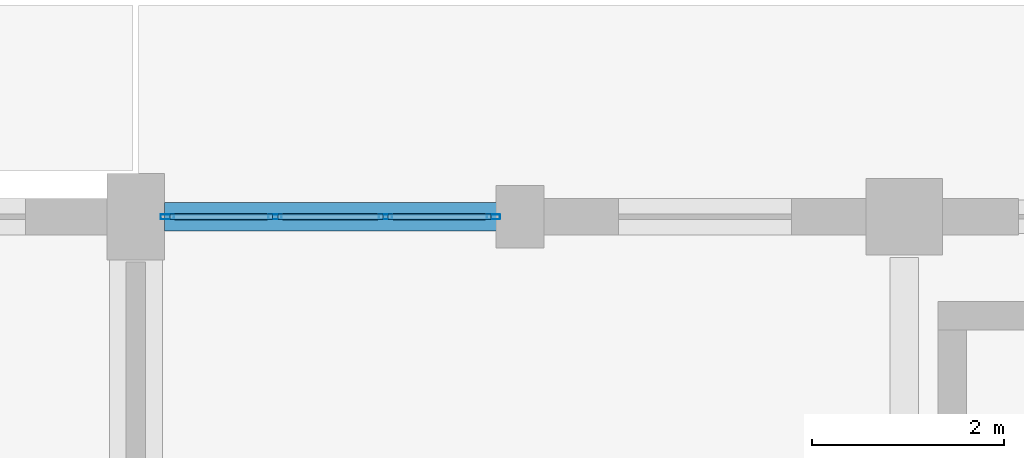
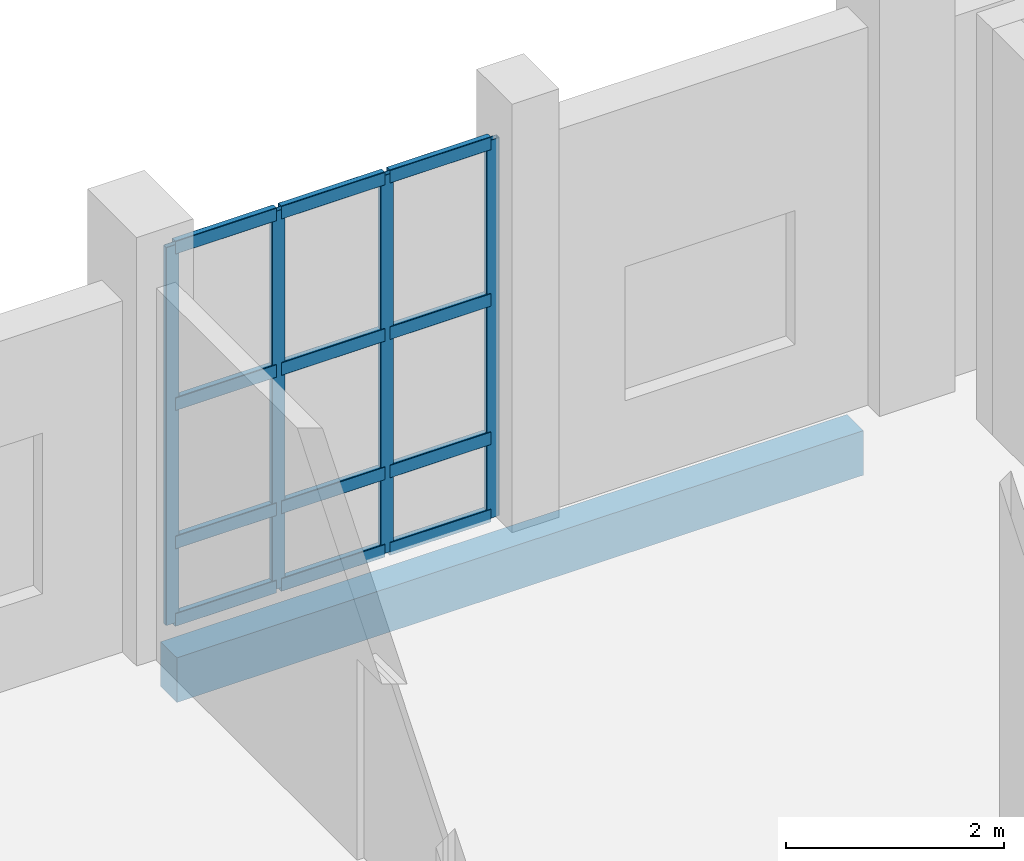
# One storey, part 98 of 156: 16 members, 1 beam, 1 element without a shape of its own.
"""IFC4 building model written with IfcOpenShell, lengths in metres."""

from ifc_helpers import new_model, si_unit, direction, frame, origin, origin_2d, place, context, subcontext, project, spatial, rectangle, hollow_rectangle, extrude, material, material_profile, profile_set, type_object, element, aggregate, save


model = new_model("IFC4")

# Units and contexts
model_context = context("Model", 3, precision=1e-05, world=origin(), true_north=direction((0.0, 1.0)))
body_context = subcontext(model_context, "Body", "Model", "MODEL_VIEW")
ifc_project = project(units=[si_unit("LENGTHUNIT", "METRE"), si_unit("AREAUNIT", "SQUARE_METRE"), si_unit("VOLUMEUNIT", "CUBIC_METRE"), si_unit("PLANEANGLEUNIT", "RADIAN"), si_unit("MASSUNIT", "GRAM", prefix="KILO")], contexts=[model_context])

# Site, building, storey
site_placement = place(None, origin())
site = spatial("IfcSite", under=ifc_project, at=site_placement, CompositionType="ELEMENT")
building_placement = place(site_placement, origin())
building = spatial("IfcBuilding", under=site, at=building_placement, Name="Luwemba Playhouse", CompositionType="ELEMENT")
storey_placement = place(building_placement, origin())
storey = spatial("IfcBuildingStorey", under=building, at=storey_placement, Name="L00", CompositionType="ELEMENT", Elevation=0.0)

# Beam
ifc_material_1 = material(Name="Concrete C40/50", Category="concrete")
ifc_material_profile_1 = material_profile(ifc_material_1, rectangle(XDim=0.300048828125, YDim=0.5, at=origin_2d()))
ifc_profile_set_1 = profile_set([ifc_material_profile_1], Name="Concrete C40/50")
beam_type = type_object("IfcBeamType", Name="BM-SP1", PredefinedType="SPANDREL", material=ifc_profile_set_1)
beam_placement = place(storey_placement, frame((132.300048828125, 115.0, -0.550048828125), z_axis=(1.0, 0.0, 0.0), x_axis=(0.0, 1.0, 0.0)))
element("IfcBeam", 1, at=beam_placement, inside=storey, type_object=beam_type, Name="L00 grid girder 0316", PredefinedType="SPANDREL", context=body_context, shape_type="SweptSolid", body=[
    extrude(rectangle(XDim=0.300048828125, YDim=0.5, at=origin_2d()), origin(), (0.0, 0.0, 1.0), 7.27490234375),
])

# Curtain wall, members
ifc_material_2 = material(Name="Solar-control double glazing", Category="glass")
curtain_wall_type = type_object("IfcCurtainWallType", Name="CW-CW09", PredefinedType="USERDEFINED", material=ifc_material_2)
curtain_wall_placement = place(storey_placement, origin())
curtain_wall = element("IfcCurtainWall", 2, at=curtain_wall_placement, inside=storey, type_object=curtain_wall_type, Name="L00 V6E unitised curtain wall 085", ObjectType="UNITISED GLAZING", PredefinedType="USERDEFINED")
ifc_material_3 = material(Name="Aluminium 6063-T6", Category="aluminium")
ifc_material_profile_2 = material_profile(ifc_material_3, hollow_rectangle(XDim=0.054931640625, YDim=0.139892578125, WallThickness=0.00390625, InnerFilletRadius=0.006103515625, OuterFilletRadius=0.010009765625, at=origin_2d()))
ifc_profile_set_2 = profile_set([ifc_material_profile_2], Name="Aluminium 6063-T6")
member_type_1 = type_object("IfcMemberType", Name="CWM-M3", PredefinedType="MULLION", material=ifc_profile_set_2)
member_1_placement = place(storey_placement, frame((132.327392578125, 115.0, 0.0), z_axis=(0.0, 0.0, 1.0), x_axis=(0.0, 1.0, 0.0)))
member_1 = element("IfcMember", 3, at=member_1_placement, type_object=member_type_1, Name="CW09 mullion 1", PredefinedType="MULLION", context=body_context, shape_type="SweptSolid", body=[
    extrude(hollow_rectangle(XDim=0.054931640625, YDim=0.139892578125, WallThickness=0.00390625, InnerFilletRadius=0.006103515625, OuterFilletRadius=0.010009765625, at=origin_2d()), origin(), (0.0, 0.0, 1.0), 4.235107421875),
])
member_2_placement = place(storey_placement, frame((133.449951171875, 115.0, 0.0), z_axis=(0.0, 0.0, 1.0), x_axis=(0.0, 1.0, 0.0)))
member_2 = element("IfcMember", 4, at=member_2_placement, type_object=member_type_1, Name="CW09 mullion 2", PredefinedType="MULLION", context=body_context, shape_type="SweptSolid", body=[
    extrude(hollow_rectangle(XDim=0.054931640625, YDim=0.139892578125, WallThickness=0.00390625, InnerFilletRadius=0.006103515625, OuterFilletRadius=0.010009765625, at=origin_2d()), origin(), (0.0, 0.0, 1.0), 4.235107421875),
])
member_3_placement = place(storey_placement, frame((134.60009765625, 115.0, 0.0), z_axis=(0.0, 0.0, 1.0), x_axis=(0.0, 1.0, 0.0)))
member_3 = element("IfcMember", 5, at=member_3_placement, type_object=member_type_1, Name="CW09 mullion 3", PredefinedType="MULLION", context=body_context, shape_type="SweptSolid", body=[
    extrude(hollow_rectangle(XDim=0.054931640625, YDim=0.139892578125, WallThickness=0.00390625, InnerFilletRadius=0.006103515625, OuterFilletRadius=0.010009765625, at=origin_2d()), origin(), (0.0, 0.0, 1.0), 4.235107421875),
])
member_4_placement = place(storey_placement, frame((135.722412109375, 115.0, 0.0), z_axis=(0.0, 0.0, 1.0), x_axis=(0.0, 1.0, 0.0)))
member_4 = element("IfcMember", 6, at=member_4_placement, type_object=member_type_1, Name="CW09 mullion 4", PredefinedType="MULLION", context=body_context, shape_type="SweptSolid", body=[
    extrude(hollow_rectangle(XDim=0.054931640625, YDim=0.139892578125, WallThickness=0.00390625, InnerFilletRadius=0.006103515625, OuterFilletRadius=0.010009765625, at=origin_2d()), origin(), (0.0, 0.0, 1.0), 4.235107421875),
])
ifc_material_profile_3 = material_profile(ifc_material_3, hollow_rectangle(XDim=0.06494140625, YDim=0.14990234375, WallThickness=0.00390625, InnerFilletRadius=0.006103515625, OuterFilletRadius=0.010009765625, at=origin_2d()))
ifc_profile_set_3 = profile_set([ifc_material_profile_3], Name="Aluminium 6063-T6")
member_type_2 = type_object("IfcMemberType", Name="CWT-T3", PredefinedType="USERDEFINED", material=ifc_profile_set_3)
member_5_placement = place(storey_placement, frame((132.35498046875, 115.0, 0.032470703125), z_axis=(1.0, 0.0, 0.0), x_axis=(0.0, 1.0, 0.0)))
member_5 = element("IfcMember", 7, at=member_5_placement, type_object=member_type_2, Name="CW09 transom 1.1", ObjectType="TRANSOM", PredefinedType="USERDEFINED", context=body_context, shape_type="SweptSolid", body=[
    extrude(hollow_rectangle(XDim=0.06494140625, YDim=0.14990234375, WallThickness=0.00390625, InnerFilletRadius=0.006103515625, OuterFilletRadius=0.010009765625, at=origin_2d()), origin(), (0.0, 0.0, 1.0), 1.067626953125),
])
member_6_placement = place(storey_placement, frame((132.35498046875, 115.0, 0.89990234375), z_axis=(1.0, 0.0, 0.0), x_axis=(0.0, 1.0, 0.0)))
member_6 = element("IfcMember", 8, at=member_6_placement, type_object=member_type_2, Name="CW09 transom 1.2", ObjectType="TRANSOM", PredefinedType="USERDEFINED", context=body_context, shape_type="SweptSolid", body=[
    extrude(hollow_rectangle(XDim=0.06494140625, YDim=0.14990234375, WallThickness=0.00390625, InnerFilletRadius=0.006103515625, OuterFilletRadius=0.010009765625, at=origin_2d()), origin(), (0.0, 0.0, 1.0), 1.067626953125),
])
member_7_placement = place(storey_placement, frame((132.35498046875, 115.0, 2.449951171875), z_axis=(1.0, 0.0, 0.0), x_axis=(0.0, 1.0, 0.0)))
member_7 = element("IfcMember", 9, at=member_7_placement, type_object=member_type_2, Name="CW09 transom 1.3", ObjectType="TRANSOM", PredefinedType="USERDEFINED", context=body_context, shape_type="SweptSolid", body=[
    extrude(hollow_rectangle(XDim=0.06494140625, YDim=0.14990234375, WallThickness=0.00390625, InnerFilletRadius=0.006103515625, OuterFilletRadius=0.010009765625, at=origin_2d()), origin(), (0.0, 0.0, 1.0), 1.067626953125),
])
member_8_placement = place(storey_placement, frame((132.35498046875, 115.0, 4.202392578125), z_axis=(1.0, 0.0, 0.0), x_axis=(0.0, 1.0, 0.0)))
member_8 = element("IfcMember", 10, at=member_8_placement, type_object=member_type_2, Name="CW09 transom 1.4", ObjectType="TRANSOM", PredefinedType="USERDEFINED", context=body_context, shape_type="SweptSolid", body=[
    extrude(hollow_rectangle(XDim=0.06494140625, YDim=0.14990234375, WallThickness=0.00390625, InnerFilletRadius=0.006103515625, OuterFilletRadius=0.010009765625, at=origin_2d()), origin(), (0.0, 0.0, 1.0), 1.067626953125),
])
member_9_placement = place(storey_placement, frame((133.4775390625, 115.0, 0.032470703125), z_axis=(1.0, 0.0, 0.0), x_axis=(0.0, 1.0, 0.0)))
member_9 = element("IfcMember", 11, at=member_9_placement, type_object=member_type_2, Name="CW09 transom 2.1", ObjectType="TRANSOM", PredefinedType="USERDEFINED", context=body_context, shape_type="SweptSolid", body=[
    extrude(hollow_rectangle(XDim=0.06494140625, YDim=0.14990234375, WallThickness=0.00390625, InnerFilletRadius=0.006103515625, OuterFilletRadius=0.010009765625, at=origin_2d()), origin(), (0.0, 0.0, 1.0), 1.094970703125),
])
member_10_placement = place(storey_placement, frame((133.4775390625, 115.0, 0.89990234375), z_axis=(1.0, 0.0, 0.0), x_axis=(0.0, 1.0, 0.0)))
member_10 = element("IfcMember", 12, at=member_10_placement, type_object=member_type_2, Name="CW09 transom 2.2", ObjectType="TRANSOM", PredefinedType="USERDEFINED", context=body_context, shape_type="SweptSolid", body=[
    extrude(hollow_rectangle(XDim=0.06494140625, YDim=0.14990234375, WallThickness=0.00390625, InnerFilletRadius=0.006103515625, OuterFilletRadius=0.010009765625, at=origin_2d()), origin(), (0.0, 0.0, 1.0), 1.094970703125),
])
member_11_placement = place(storey_placement, frame((133.4775390625, 115.0, 2.449951171875), z_axis=(1.0, 0.0, 0.0), x_axis=(0.0, 1.0, 0.0)))
member_11 = element("IfcMember", 13, at=member_11_placement, type_object=member_type_2, Name="CW09 transom 2.3", ObjectType="TRANSOM", PredefinedType="USERDEFINED", context=body_context, shape_type="SweptSolid", body=[
    extrude(hollow_rectangle(XDim=0.06494140625, YDim=0.14990234375, WallThickness=0.00390625, InnerFilletRadius=0.006103515625, OuterFilletRadius=0.010009765625, at=origin_2d()), origin(), (0.0, 0.0, 1.0), 1.094970703125),
])
member_12_placement = place(storey_placement, frame((133.4775390625, 115.0, 4.202392578125), z_axis=(1.0, 0.0, 0.0), x_axis=(0.0, 1.0, 0.0)))
member_12 = element("IfcMember", 14, at=member_12_placement, type_object=member_type_2, Name="CW09 transom 2.4", ObjectType="TRANSOM", PredefinedType="USERDEFINED", context=body_context, shape_type="SweptSolid", body=[
    extrude(hollow_rectangle(XDim=0.06494140625, YDim=0.14990234375, WallThickness=0.00390625, InnerFilletRadius=0.006103515625, OuterFilletRadius=0.010009765625, at=origin_2d()), origin(), (0.0, 0.0, 1.0), 1.094970703125),
])
member_13_placement = place(storey_placement, frame((134.62744140625, 115.0, 0.032470703125), z_axis=(1.0, 0.0, 0.0), x_axis=(0.0, 1.0, 0.0)))
member_13 = element("IfcMember", 15, at=member_13_placement, type_object=member_type_2, Name="CW09 transom 3.1", ObjectType="TRANSOM", PredefinedType="USERDEFINED", context=body_context, shape_type="SweptSolid", body=[
    extrude(hollow_rectangle(XDim=0.06494140625, YDim=0.14990234375, WallThickness=0.00390625, InnerFilletRadius=0.006103515625, OuterFilletRadius=0.010009765625, at=origin_2d()), origin(), (0.0, 0.0, 1.0), 1.067626953125),
])
member_14_placement = place(storey_placement, frame((134.62744140625, 115.0, 0.89990234375), z_axis=(1.0, 0.0, 0.0), x_axis=(0.0, 1.0, 0.0)))
member_14 = element("IfcMember", 16, at=member_14_placement, type_object=member_type_2, Name="CW09 transom 3.2", ObjectType="TRANSOM", PredefinedType="USERDEFINED", context=body_context, shape_type="SweptSolid", body=[
    extrude(hollow_rectangle(XDim=0.06494140625, YDim=0.14990234375, WallThickness=0.00390625, InnerFilletRadius=0.006103515625, OuterFilletRadius=0.010009765625, at=origin_2d()), origin(), (0.0, 0.0, 1.0), 1.067626953125),
])
member_15_placement = place(storey_placement, frame((134.62744140625, 115.0, 2.449951171875), z_axis=(1.0, 0.0, 0.0), x_axis=(0.0, 1.0, 0.0)))
member_15 = element("IfcMember", 17, at=member_15_placement, type_object=member_type_2, Name="CW09 transom 3.3", ObjectType="TRANSOM", PredefinedType="USERDEFINED", context=body_context, shape_type="SweptSolid", body=[
    extrude(hollow_rectangle(XDim=0.06494140625, YDim=0.14990234375, WallThickness=0.00390625, InnerFilletRadius=0.006103515625, OuterFilletRadius=0.010009765625, at=origin_2d()), origin(), (0.0, 0.0, 1.0), 1.067626953125),
])
member_16_placement = place(storey_placement, frame((134.62744140625, 115.0, 4.202392578125), z_axis=(1.0, 0.0, 0.0), x_axis=(0.0, 1.0, 0.0)))
member_16 = element("IfcMember", 18, at=member_16_placement, type_object=member_type_2, Name="CW09 transom 3.4", ObjectType="TRANSOM", PredefinedType="USERDEFINED", context=body_context, shape_type="SweptSolid", body=[
    extrude(hollow_rectangle(XDim=0.06494140625, YDim=0.14990234375, WallThickness=0.00390625, InnerFilletRadius=0.006103515625, OuterFilletRadius=0.010009765625, at=origin_2d()), origin(), (0.0, 0.0, 1.0), 1.067626953125),
])
aggregate(curtain_wall, [member_1, member_2, member_3, member_4, member_5, member_6, member_7, member_8, member_9, member_10, member_11, member_12, member_13, member_14, member_15, member_16])

save(model, "model.ifc")
